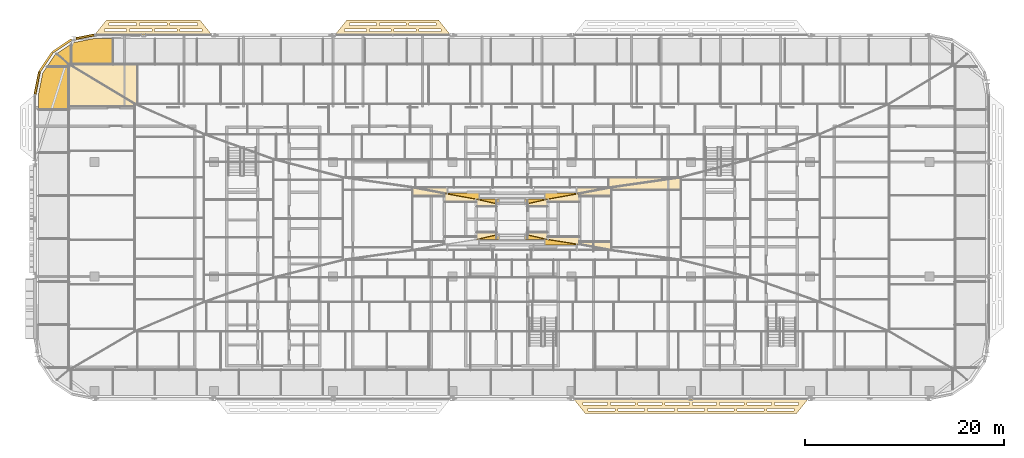
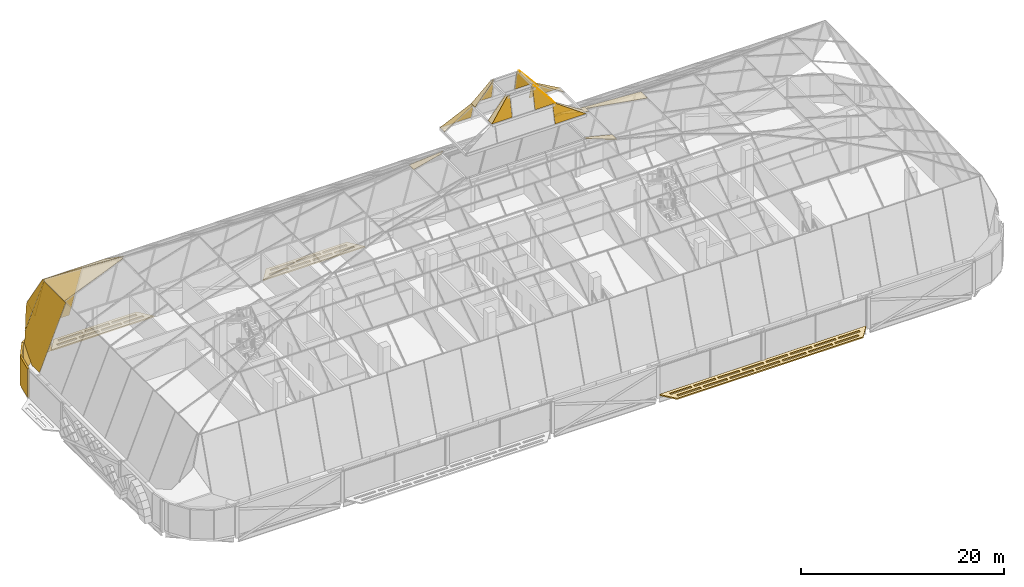
# One storey, part 37 of 39: 34 coverings.
"""IFC4 building model written with IfcOpenShell, lengths in metres."""

from ifc_helpers import new_model, si_unit, direction, frame, origin, origin_2d, place, context, subcontext, project, spatial, polyline, rectangle, outline, extrude, material, layer, layer_set, type_object, element, save


model = new_model("IFC4")

# Units and contexts
model_context = context("Model", 3, precision=1e-05, world=origin(), true_north=direction((0.0, 1.0)))
body_context = subcontext(model_context, "Body", "Model", "MODEL_VIEW")
ifc_project = project(units=[si_unit("LENGTHUNIT", "METRE"), si_unit("AREAUNIT", "SQUARE_METRE"), si_unit("VOLUMEUNIT", "CUBIC_METRE"), si_unit("PLANEANGLEUNIT", "RADIAN"), si_unit("MASSUNIT", "GRAM", prefix="KILO")], contexts=[model_context])

# Site, building, storey
site_placement = place(None, origin())
site = spatial("IfcSite", under=ifc_project, at=site_placement, CompositionType="ELEMENT")
building_placement = place(site_placement, origin())
building = spatial("IfcBuilding", under=site, at=building_placement, Name="Mahtab Terrace Research Tower", CompositionType="ELEMENT")
storey_placement = place(building_placement, frame((0.0, 0.0, 282.300048828125)))
storey = spatial("IfcBuildingStorey", under=building, at=storey_placement, Name="L69", CompositionType="ELEMENT", Elevation=282.300048828125)

# Coverings
ifc_material_1 = material(Name="Black aluminium cladding panel", Category="aluminium")
ifc_layer_1 = layer(ifc_material_1, 0.199951171875)
ifc_layer_set_1 = layer_set([ifc_layer_1], Name="Black metal corner cladding 200")
covering_type_1 = type_object("IfcCoveringType", Name="Black metal corner cladding 200", PredefinedType="CLADDING", material=ifc_layer_set_1)
covering_1_placement = place(storey_placement, frame((-42.933349609375, 24.121337890625, 0.0), z_axis=(0.0, 0.0, 1.0), x_axis=(-0.980760981187, -0.195212442692, 0.0)))
element("IfcCovering", 1, at=covering_1_placement, inside=storey, type_object=covering_type_1, Name="Corner cladding L69 11", PredefinedType="CLADDING", context=body_context, shape_type="SweptSolid", body=[
    extrude(rectangle(XDim=1.86328125, YDim=0.199951171875, at=origin_2d()), origin(), (0.0, 0.0, 1.0), 3.4599609375),
])
for number, where, z_axis, x_axis, name in (
    (2, (-45.26953125, 23.199951171875, 0.0), (0.0, 0.0, 1.0), (-0.831655794326, -0.555291490808, 0.0), "Corner cladding L69 12"),
    (3, (-46.89306640625, 21.576416015625, 0.0), (0.0, 0.0, 1.0), (-0.555291490808, -0.831655794326, 0.0), "Corner cladding L69 13"),
    (4, (-47.771484375, 19.455078125, 0.0), (0.0, 0.0, 1.0), (-0.195212442692, -0.980760981187, 0.0), "Corner cladding L69 14"),
):
    element("IfcCovering", number, at=place(storey_placement, frame(where, z_axis=z_axis, x_axis=x_axis)), inside=storey, type_object=covering_type_1, Name=name, PredefinedType="CLADDING", context=body_context, shape_type="SweptSolid", body=[
        extrude(rectangle(XDim=2.30126953125, YDim=0.199951171875, at=origin_2d()), origin(), (0.0, 0.0, 1.0), 3.4599609375),
    ])
ifc_material_2 = material(Name="Turquoise ceramic tile cladding", Category="ceramic")
ifc_layer_2 = layer(ifc_material_2, 0.0400390625)
ifc_layer_set_2 = layer_set([ifc_layer_2], Name="Crown hip cladding panel")
covering_type_2 = type_object("IfcCoveringType", Name="Crown hip cladding panel", PredefinedType="CLADDING", material=ifc_layer_set_2)
covering_2_placement = place(storey_placement, frame((10.006591796875, 8.99072265625, 20.39990234375), z_axis=(0.168854156391, 0.0, 0.985641047172), x_axis=(0.975997294482, 0.139544820563, -0.167202046092)))
element("IfcCovering", 5, at=covering_2_placement, inside=storey, type_object=covering_type_2, Name="CWC-E6 hip cladding 3", PredefinedType="CLADDING", context=body_context, shape_type="SweptSolid", body=[
    extrude(outline(polyline([(0.0, 0.0), (7.176653635055569, 2.42861286636753e-17), (6.995068211812578, -1.2885375923989406), (-0.04183619132127453, -0.29687132522812365), (0.0, 0.0)])), origin(), (0.0, 0.0, -1.0), 0.0400390625),
])
covering_3_placement = place(storey_placement, frame((6.81396484375, 3.193115234375, 21.199951171875), z_axis=(0.243076639991, 0.0, 0.970007086103), x_axis=(0.0, 1.0, 0.0)))
element("IfcCovering", 6, at=covering_3_placement, inside=storey, type_object=covering_type_2, Name="CWC-E7 hip cladding 1", PredefinedType="CLADDING", context=body_context, shape_type="SweptSolid", body=[
    extrude(outline(polyline([(0.0, 0.0), (0.300048828125, 0.0), (0.300048828125, -3.291343948785117), (-0.594970703125, -3.291343948785117), (0.0, 0.0)])), origin(), (0.0, 0.0, -1.0), 0.0400390625),
])
covering_4_placement = place(storey_placement, frame((6.81396484375, 8.379150390625, 21.199951171875), z_axis=(0.243076639991, 0.0, 0.970007086103), x_axis=(0.953683251915, 0.182685367137, -0.238986007228)))
element("IfcCovering", 7, at=covering_4_placement, inside=storey, type_object=covering_type_2, Name="CWC-E7 hip cladding 3", PredefinedType="CLADDING", context=body_context, shape_type="SweptSolid", body=[
    extrude(outline(polyline([(0.0, 0.0), (3.3476806337053873, -8.326672684688674e-17), (3.1811407995040786, -0.8962798124437183), (-0.05481453032496217, -0.2949994347866443), (0.0, 0.0)])), origin(), (0.0, 0.0, -1.0), 0.0400390625),
])
covering_5_placement = place(storey_placement, frame((-44.34814453125, 21.407958984375, 11.199951171875), z_axis=(0.000111718739, 0.945480033428, 0.325680048373), x_axis=(-0.999999993759, 0.000105627838, 3.6384565e-05)))
element("IfcCovering", 8, at=covering_5_placement, inside=storey, type_object=covering_type_2, Name="CWC-N1 hip cladding 1", PredefinedType="CLADDING", context=body_context, shape_type="SweptSolid", body=[
    extrude(outline(polyline([(0.0, 0.0), (0.2998046856290574, -2.031555584430236e-21), (1.4775390717206391, -3.0700189633869006), (-3.741885309282078e-09, -6.099114115973862), (0.0, 0.0)])), origin(), (0.0, 0.0, -1.0), 0.0400390625),
])
covering_6_placement = place(storey_placement, frame((-40.12451171875, 21.407958984375, 11.199951171875), z_axis=(-1.2193693e-05, 0.945476558074, 0.325690156412), x_axis=(-0.999999999926, -1.1528851e-05, -3.971366e-06)))
element("IfcCovering", 9, at=covering_6_placement, inside=storey, type_object=covering_type_2, Name="CWC-N1 hip cladding 2", PredefinedType="CLADDING", context=body_context, shape_type="SweptSolid", body=[
    extrude(outline(polyline([(0.0, 0.0), (4.223632812186002, -3.577556149291845e-21), (4.223632813389349, -6.09911411526744), (4.034912109362245, -6.485694810644206), (1.8410644528330231, -7.826641943531945), (-1.5510638053209706e-10, -7.826641943531945), (0.0, 0.0)])), origin(), (0.0, 0.0, -1.0), 0.0400390625),
])
covering_7_placement = place(storey_placement, frame((-37.677001953125, 21.407958984375, 11.199951171875), z_axis=(0.0, 0.571197269128, 0.820812816506), x_axis=(0.0, -0.820812816506, 0.571197269128)))
element("IfcCovering", 10, at=covering_7_placement, inside=storey, type_object=covering_type_2, Name="CWC-N2 hip cladding 1", PredefinedType="CLADDING", context=body_context, shape_type="SweptSolid", body=[
    extrude(outline(polyline([(0.0, 0.0), (4.902069704215443, 0.0), (4.902069704215443, -0.30004882812500006), (0.0, -6.970947265625002), (0.0, 0.0)])), origin(), (0.0, 0.0, -1.0), 0.0400390625),
])
covering_8_placement = place(storey_placement, frame((17.010986328125, 9.9921875, 19.199951171875), z_axis=(0.0, 0.767747332932, 0.640752707973), x_axis=(-0.975997294482, -0.139544820563, 0.167202046092)))
element("IfcCovering", 11, at=covering_8_placement, inside=storey, type_object=covering_type_2, Name="CWC-N6 hip cladding 7", PredefinedType="CLADDING", context=body_context, shape_type="SweptSolid", body=[
    extrude(outline(polyline([(0.0, 0.0), (7.176653635055569, -1.1102230246251565e-16), (7.4695004795181195, -0.06534542790059683), (7.12911695644839, -1.590781006800616), (0.0, 0.0)])), origin(), (0.0, 0.0, -1.0), 0.0400390625),
])
covering_9_placement = place(storey_placement, frame((-6.513916015625, 8.99072265625, 20.39990234375), z_axis=(0.0, 0.794467922581, 0.607306117201), x_axis=(0.0, -0.607306117201, 0.794467922581)))
element("IfcCovering", 12, at=covering_9_placement, inside=storey, type_object=covering_type_2, Name="CWC-N7 hip cladding 1", PredefinedType="CLADDING", context=body_context, shape_type="SweptSolid", body=[
    extrude(outline(polyline([(0.0, 0.0), (1.0070247084684076, 0.0), (1.0070247084684076, -0.300048828125), (0.0, -3.49267578125), (0.0, 0.0)])), origin(), (0.0, 0.0, -1.0), 0.0400390625),
])
covering_10_placement = place(storey_placement, frame((10.006591796875, 8.99072265625, 20.39990234375), z_axis=(0.0, 0.794467922581, 0.607306117201), x_axis=(-0.953683251915, -0.182685367137, 0.238986007228)))
element("IfcCovering", 13, at=covering_10_placement, inside=storey, type_object=covering_type_2, Name="CWC-N7 hip cladding 5", PredefinedType="CLADDING", context=body_context, shape_type="SweptSolid", body=[
    extrude(outline(polyline([(0.0, 0.0), (3.3476806337053873, -1.1102230246251565e-16), (3.6338321758449204, -0.09025848542022463), (3.330906396947241, -1.050641084151124), (0.0, 0.0)])), origin(), (0.0, 0.0, -1.0), 0.0400390625),
])
covering_11_placement = place(storey_placement, frame((-44.64794921875, 21.10791015625, 11.199951171875), z_axis=(-0.926649898058, -8.921849e-06, 0.375925479783), x_axis=(8.267431e-06, -0.99999999996, -3.35395e-06)))
element("IfcCovering", 14, at=covering_11_placement, inside=storey, type_object=covering_type_2, Name="CWC-W1 hip cladding 8", PredefinedType="CLADDING", context=body_context, shape_type="SweptSolid", body=[
    extrude(outline(polyline([(0.0, 0.0), (4.32641601545281, 0.0), (4.326416015919259, -7.985629421592305), (2.835449219103599, -7.985629421592305), (0.6413574209972003, -6.824068347720795), (3.4722193856576676e-12, -5.684539532705066), (0.0, 0.0)])), origin(), (0.0, 0.0, -1.0), 0.0400390625),
])
covering_12_placement = place(storey_placement, frame((-44.64794921875, 21.407958984375, 11.199951171875), z_axis=(-0.92666282551, -5.0405544e-05, 0.375893608987), x_axis=(4.6708944e-05, -0.99999999873, -1.8947122e-05)))
element("IfcCovering", 15, at=covering_12_placement, inside=storey, type_object=covering_type_2, Name="CWC-W1 hip cladding 9", PredefinedType="CLADDING", context=body_context, shape_type="SweptSolid", body=[
    extrude(outline(polyline([(0.0, 0.0), (0.3000488277438302, 0.0), (0.30004881790879057, -5.6845395293564245), (-0.8896484376633647, -3.5715039641151822), (-1.000000013771967, -3.132423124643514), (0.0, 0.0)])), origin(), (0.0, 0.0, -1.0), 0.0400390625),
])
covering_13_placement = place(storey_placement, frame((-44.64794921875, 21.407958984375, 11.199951171875), z_axis=(-0.387029381179, 0.0, 0.922067382627), x_axis=(0.805824087168, -0.486048410943, 0.33823731722)))
element("IfcCovering", 16, at=covering_13_placement, inside=storey, type_object=covering_type_2, Name="CWC-W2 hip cladding 7", PredefinedType="CLADDING", context=body_context, shape_type="SweptSolid", body=[
    extrude(outline(polyline([(0.0, 0.0), (8.278355715262956, 3.3306690738754696e-16), (8.42419397137844, -0.26222223840166514), (2.1015423236820516, -3.7786459252184685), (0.0, 0.0)])), origin(), (0.0, 0.0, -1.0), 0.0400390625),
])
covering_14_placement = place(storey_placement, frame((-10.006591796875, 8.99072265625, 20.39990234375), z_axis=(-0.243076639991, 0.0, 0.970007086103), x_axis=(0.953683251915, -0.182685367137, 0.238986007228)))
element("IfcCovering", 17, at=covering_14_placement, inside=storey, type_object=covering_type_2, Name="CWC-W7 hip cladding 3", PredefinedType="CLADDING", context=body_context, shape_type="SweptSolid", body=[
    extrude(outline(polyline([(0.0, 0.0), (3.3476806337053873, 8.326672684688674e-17), (3.40249516403035, -0.29499943478664425), (0.16653983420130897, -0.8962798124437183), (0.0, 0.0)])), origin(), (0.0, 0.0, -1.0), 0.0400390625),
])
covering_15_placement = place(storey_placement, frame((3.60009765625, 3.699951171875, 26.300048828125), z_axis=(0.0, -0.972091096112, 0.234603710245), x_axis=(0.829921097584, -0.130880902354, -0.542310945109)))
element("IfcCovering", 18, at=covering_15_placement, inside=storey, type_object=covering_type_2, Name="CWC-S8 hip cladding 3", PredefinedType="CLADDING", context=body_context, shape_type="SweptSolid", body=[
    extrude(outline(polyline([(0.0, 0.0), (3.872497273364748, 0.0), (0.956224236860993, -1.9603462299877146), (-0.2490168527661443, -0.16739147617973327), (0.0, 0.0)])), origin(), (0.0, 0.0, -1.0), 0.0400390625),
])
covering_16_placement = place(storey_placement, frame((3.60009765625, 3.699951171875, 26.300048828125), z_axis=(0.547016325747, 0.0, 0.83712193817), x_axis=(0.0, 1.0, 0.0)))
element("IfcCovering", 19, at=covering_16_placement, inside=storey, type_object=covering_type_2, Name="CWC-E8 hip cladding 1", PredefinedType="CLADDING", context=body_context, shape_type="SweptSolid", body=[
    extrude(outline(polyline([(0.0, 0.0), (0.300048828125, 0.0), (0.300048828125, -3.839186432654177), (-0.5068359375, -3.839186432654177), (0.0, 0.0)])), origin(), (0.0, 0.0, -1.0), 0.0400390625),
])
covering_17_placement = place(storey_placement, frame((3.60009765625, 7.800048828125, 26.300048828125), z_axis=(0.547016325747, 0.0, 0.83712193817), x_axis=(0.827758076638, 0.149152397279, -0.540897521668)))
element("IfcCovering", 20, at=covering_17_placement, inside=storey, type_object=covering_type_2, Name="CWC-E8 hip cladding 3", PredefinedType="CLADDING", context=body_context, shape_type="SweptSolid", body=[
    extrude(outline(polyline([(0.0, 0.0), (3.882616525536078, 0.0), (3.751489137205311, -0.8693164080849056), (-0.04475300201569362, -0.29669254805230466), (0.0, 0.0)])), origin(), (0.0, 0.0, -1.0), 0.0400390625),
])
covering_18_placement = place(storey_placement, frame((-3.300048828125, 8.379150390625, 24.199951171875), z_axis=(0.0, 0.964020351668, 0.265828443869), x_axis=(0.0, -0.265828443869, 0.964020351668)))
element("IfcCovering", 21, at=covering_18_placement, inside=storey, type_object=covering_type_2, Name="CWC-N8 hip cladding 1", PredefinedType="CLADDING", context=body_context, shape_type="SweptSolid", body=[
    extrude(outline(polyline([(0.0, 0.0), (2.1784785483168485, 0.0), (2.1784785483168485, -0.300048828125), (0.0, -3.513916015625), (0.0, 0.0)])), origin(), (0.0, 0.0, -1.0), 0.0400390625),
])
covering_19_placement = place(storey_placement, frame((6.81396484375, 8.379150390625, 24.199951171875), z_axis=(0.0, 0.964020351668, 0.265828443869), x_axis=(-0.827758076638, -0.149152397279, 0.540897521668)))
element("IfcCovering", 22, at=covering_19_placement, inside=storey, type_object=covering_type_2, Name="CWC-N8 hip cladding 3", PredefinedType="CLADDING", context=body_context, shape_type="SweptSolid", body=[
    extrude(outline(polyline([(0.0, 0.0), (3.882616525536078, 0.0), (4.130984366402263, -0.16835294735363338), (2.908672362560619, -1.9716061605051611), (0.0, 0.0)])), origin(), (0.0, 0.0, -1.0), 0.0400390625),
])
covering_20_placement = place(storey_placement, frame((-6.81396484375, 8.379150390625, 24.199951171875), z_axis=(-0.547016325747, 0.0, 0.83712193817), x_axis=(0.827758076638, -0.149152397279, 0.540897521668)))
element("IfcCovering", 23, at=covering_20_placement, inside=storey, type_object=covering_type_2, Name="CWC-W8 hip cladding 3", PredefinedType="CLADDING", context=body_context, shape_type="SweptSolid", body=[
    extrude(outline(polyline([(0.0, 0.0), (3.882616525536078, 0.0), (3.9273695275517713, -0.2966925480523046), (0.13112738833076706, -0.8693164080849056), (0.0, 0.0)])), origin(), (0.0, 0.0, -1.0), 0.0400390625),
])
covering_21_placement = place(storey_placement, frame((-1.60009765625, 4.14990234375, 28.699951171875), z_axis=(0.0, -0.982874450722, 0.184276461107), x_axis=(1.0, 0.0, 0.0)))
element("IfcCovering", 24, at=covering_21_placement, inside=storey, type_object=covering_type_2, Name="CWC-S9 hip cladding 1", PredefinedType="CLADDING", context=body_context, shape_type="SweptSolid", body=[
    extrude(outline(polyline([(0.0, 0.0), (0.300048828125, 0.0), (0.300048828125, -2.441718107523559), (-2.0, -2.441718107523559), (0.0, 0.0)])), origin(), (0.0, 0.0, -1.0), 0.0400390625),
])
covering_22_placement = place(storey_placement, frame((1.60009765625, 4.14990234375, 28.699951171875), z_axis=(0.0, -0.982874450722, 0.184276461107), x_axis=(0.633661036554, -0.142558262984, -0.760362303384)))
element("IfcCovering", 25, at=covering_22_placement, inside=storey, type_object=covering_type_2, Name="CWC-S9 hip cladding 3", PredefinedType="CLADDING", context=body_context, shape_type="SweptSolid", body=[
    extrude(outline(polyline([(0.0, 0.0), (3.1562616045899032, -2.220446049250313e-16), (1.6988102800354237, -1.7793426449994336), (-0.19012925144649773, -0.2321210180134066), (0.0, 0.0)])), origin(), (0.0, 0.0, -1.0), 0.0400390625),
])
covering_23_placement = place(storey_placement, frame((1.60009765625, 4.14990234375, 28.699951171875), z_axis=(0.768208468069, 0.0, 0.640199773186), x_axis=(0.0, 1.0, 0.0)))
element("IfcCovering", 26, at=covering_23_placement, inside=storey, type_object=covering_type_2, Name="CWC-E9 hip cladding 1", PredefinedType="CLADDING", context=body_context, shape_type="SweptSolid", body=[
    extrude(outline(polyline([(0.0, 0.0), (0.300048828125, 0.0), (0.300048828125, -3.1240248493788814), (-0.449951171875, -3.1240248493788814), (0.0, 0.0)])), origin(), (0.0, 0.0, -1.0), 0.0400390625),
])
covering_24_placement = place(storey_placement, frame((1.60009765625, 7.35009765625, 28.699951171875), z_axis=(0.768208468069, 0.0, 0.640199773186), x_axis=(0.633661036554, 0.142558262984, -0.760362303384)))
element("IfcCovering", 27, at=covering_24_placement, inside=storey, type_object=covering_type_2, Name="CWC-E9 hip cladding 3", PredefinedType="CLADDING", context=body_context, shape_type="SweptSolid", body=[
    extrude(outline(polyline([(0.0, 0.0), (3.1562616045899032, 1.1102230246251565e-16), (3.0493429073515297, -0.7423398091041925), (-0.04277443974803409, -0.29698425305633225), (0.0, 0.0)])), origin(), (0.0, 0.0, -1.0), 0.0400390625),
])
covering_25_placement = place(storey_placement, frame((-1.300048828125, 7.800048828125, 26.300048828125), z_axis=(0.0, 0.982874450722, 0.184276461107), x_axis=(0.0, -0.184276461107, 0.982874450722)))
element("IfcCovering", 28, at=covering_25_placement, inside=storey, type_object=covering_type_2, Name="CWC-N9 hip cladding 1", PredefinedType="CLADDING", context=body_context, shape_type="SweptSolid", body=[
    extrude(outline(polyline([(0.0, 0.0), (2.441718107523559, 0.0), (2.441718107523559, -0.300048828125), (0.0, -2.300048828125), (0.0, 0.0)])), origin(), (0.0, 0.0, -1.0), 0.0400390625),
])
covering_26_placement = place(storey_placement, frame((3.60009765625, 7.800048828125, 26.300048828125), z_axis=(0.0, 0.982874450722, 0.184276461107), x_axis=(-0.633661036554, -0.142558262984, 0.760362303384)))
element("IfcCovering", 29, at=covering_26_placement, inside=storey, type_object=covering_type_2, Name="CWC-N9 hip cladding 3", PredefinedType="CLADDING", context=body_context, shape_type="SweptSolid", body=[
    extrude(outline(polyline([(0.0, 0.0), (3.1562616045899032, 2.220446049250313e-16), (3.3463908560364004, -0.23212101801340634), (1.4574513245544791, -1.7793426449994332), (0.0, 0.0)])), origin(), (0.0, 0.0, -1.0), 0.0400390625),
])
covering_27_placement = place(storey_placement, frame((-3.60009765625, 4.449951171875, 26.300048828125), z_axis=(-0.768208468069, 0.0, 0.640199773186), x_axis=(0.640199773186, 0.0, 0.768208468069)))
element("IfcCovering", 30, at=covering_27_placement, inside=storey, type_object=covering_type_2, Name="CWC-W9 hip cladding 1", PredefinedType="CLADDING", context=body_context, shape_type="SweptSolid", body=[
    extrude(outline(polyline([(0.0, 0.0), (3.1240248493788814, 0.0), (3.1240248493788814, -0.300048828125), (0.0, -0.75), (0.0, 0.0)])), origin(), (0.0, 0.0, -1.0), 0.0400390625),
])
covering_28_placement = place(storey_placement, frame((-3.60009765625, 7.800048828125, 26.300048828125), z_axis=(-0.768208468069, 0.0, 0.640199773186), x_axis=(0.633661036554, -0.142558262984, 0.760362303384)))
element("IfcCovering", 31, at=covering_28_placement, inside=storey, type_object=covering_type_2, Name="CWC-W9 hip cladding 3", PredefinedType="CLADDING", context=body_context, shape_type="SweptSolid", body=[
    extrude(outline(polyline([(0.0, 0.0), (3.1562616045899032, -1.1102230246251565e-16), (3.1990360443379373, -0.29698425305633236), (0.10691869723837324, -0.7423398091041926), (0.0, 0.0)])), origin(), (0.0, 0.0, -1.0), 0.0400390625),
])
ifc_material_3 = material(Name="Black anodised aluminium", Category="aluminium")
ifc_layer_3 = layer(ifc_material_3, 0.14990234375)
ifc_layer_set_3 = layer_set([ifc_layer_3], Name="Horizontal sunshade band")
covering_type_3 = type_object("IfcCoveringType", Name="Horizontal sunshade band", PredefinedType="CLADDING", material=ifc_layer_set_3)
covering_29_placement = place(storey_placement, frame((0.0, 0.0, -0.150146484375)))
element("IfcCovering", 32, at=covering_29_placement, inside=storey, type_object=covering_type_3, Name="Sunshade band L69 7", PredefinedType="CLADDING", context=body_context, shape_type="SweptSolid", body=[
    extrude(outline(polyline([(-6.18798828125, 24.306884765625), (-17.81201171875, 24.306884765625), (-16.612060546875, 25.806884765625), (-7.387939453125, 25.806884765625), (-6.18798828125, 24.306884765625)]), holes=[polyline([(-7.16796875, 24.656982421875), (-9.35888671875, 24.656982421875), (-9.35888671875, 24.906982421875), (-7.16796875, 24.906982421875), (-7.16796875, 24.656982421875)]), polyline([(-9.658935546875, 24.656982421875), (-11.85009765625, 24.656982421875), (-11.85009765625, 24.906982421875), (-9.658935546875, 24.906982421875), (-9.658935546875, 24.656982421875)]), polyline([(-12.14990234375, 24.656982421875), (-14.341064453125, 24.656982421875), (-14.341064453125, 24.906982421875), (-12.14990234375, 24.906982421875), (-12.14990234375, 24.656982421875)]), polyline([(-14.64111328125, 24.656982421875), (-16.83203125, 24.656982421875), (-16.83203125, 24.906982421875), (-14.64111328125, 24.906982421875), (-14.64111328125, 24.656982421875)]), polyline([(-7.64794921875, 25.257080078125), (-10.34912109375, 25.257080078125), (-10.34912109375, 25.507080078125), (-7.64794921875, 25.507080078125), (-7.64794921875, 25.257080078125)]), polyline([(-10.64892578125, 25.257080078125), (-13.35107421875, 25.257080078125), (-13.35107421875, 25.507080078125), (-10.64892578125, 25.507080078125), (-10.64892578125, 25.257080078125)]), polyline([(-13.65087890625, 25.257080078125), (-16.35205078125, 25.257080078125), (-16.35205078125, 25.507080078125), (-13.65087890625, 25.507080078125), (-13.65087890625, 25.257080078125)])]), origin(), (0.0, 0.0, 1.0), 0.150146484375),
])
covering_30_placement = place(storey_placement, frame((0.0, 0.0, -0.150146484375)))
element("IfcCovering", 33, at=covering_30_placement, inside=storey, type_object=covering_type_3, Name="Sunshade band L69 9", PredefinedType="CLADDING", context=body_context, shape_type="SweptSolid", body=[
    extrude(outline(polyline([(-30.18798828125, 24.306884765625), (-42.0, 24.306884765625), (-40.800048828125, 25.806884765625), (-31.387939453125, 25.806884765625), (-30.18798828125, 24.306884765625)]), holes=[polyline([(-31.16796875, 24.656982421875), (-33.406005859375, 24.656982421875), (-33.406005859375, 24.906982421875), (-31.16796875, 24.906982421875), (-31.16796875, 24.656982421875)]), polyline([(-33.7060546875, 24.656982421875), (-35.944091796875, 24.656982421875), (-35.944091796875, 24.906982421875), (-33.7060546875, 24.906982421875), (-33.7060546875, 24.656982421875)]), polyline([(-36.243896484375, 24.656982421875), (-38.48193359375, 24.656982421875), (-38.48193359375, 24.906982421875), (-36.243896484375, 24.906982421875), (-36.243896484375, 24.656982421875)]), polyline([(-38.781982421875, 24.656982421875), (-41.02001953125, 24.656982421875), (-41.02001953125, 24.906982421875), (-38.781982421875, 24.906982421875), (-38.781982421875, 24.656982421875)]), polyline([(-31.64794921875, 25.257080078125), (-34.412109375, 25.257080078125), (-34.412109375, 25.507080078125), (-31.64794921875, 25.507080078125), (-31.64794921875, 25.257080078125)]), polyline([(-34.7119140625, 25.257080078125), (-37.47607421875, 25.257080078125), (-37.47607421875, 25.507080078125), (-34.7119140625, 25.507080078125), (-34.7119140625, 25.257080078125)]), polyline([(-37.77587890625, 25.257080078125), (-40.5400390625, 25.257080078125), (-40.5400390625, 25.507080078125), (-37.77587890625, 25.507080078125), (-37.77587890625, 25.257080078125)])]), origin(), (0.0, 0.0, 1.0), 0.150146484375),
])
covering_31_placement = place(storey_placement, frame((0.0, 0.0, -0.150146484375)))
element("IfcCovering", 34, at=covering_31_placement, inside=storey, type_object=covering_type_3, Name="Sunshade band L69 27", PredefinedType="CLADDING", context=body_context, shape_type="SweptSolid", body=[
    extrude(outline(polyline([(6.18798828125, -12.306884765625), (29.81201171875, -12.306884765625), (28.612060546875, -13.806884765625), (7.387939453125, -13.806884765625), (6.18798828125, -12.306884765625)]), holes=[polyline([(7.16796875, -12.656982421875), (9.614013671875, -12.656982421875), (9.614013671875, -12.906982421875), (7.16796875, -12.906982421875), (7.16796875, -12.656982421875)]), polyline([(9.9130859375, -12.656982421875), (12.35888671875, -12.656982421875), (12.35888671875, -12.906982421875), (9.9130859375, -12.906982421875), (9.9130859375, -12.656982421875)]), polyline([(12.658935546875, -12.656982421875), (15.10498046875, -12.656982421875), (15.10498046875, -12.906982421875), (12.658935546875, -12.906982421875), (12.658935546875, -12.656982421875)]), polyline([(15.404052734375, -12.656982421875), (17.85009765625, -12.656982421875), (17.85009765625, -12.906982421875), (15.404052734375, -12.906982421875), (15.404052734375, -12.656982421875)]), polyline([(18.14990234375, -12.656982421875), (20.594970703125, -12.656982421875), (20.594970703125, -12.906982421875), (18.14990234375, -12.906982421875), (18.14990234375, -12.656982421875)]), polyline([(20.89501953125, -12.656982421875), (23.341064453125, -12.656982421875), (23.341064453125, -12.906982421875), (20.89501953125, -12.906982421875), (20.89501953125, -12.656982421875)]), polyline([(23.64111328125, -12.656982421875), (26.0859375, -12.656982421875), (26.0859375, -12.906982421875), (23.64111328125, -12.906982421875), (23.64111328125, -12.656982421875)]), polyline([(26.385986328125, -12.656982421875), (28.83203125, -12.656982421875), (28.83203125, -12.906982421875), (26.385986328125, -12.906982421875), (26.385986328125, -12.656982421875)]), polyline([(7.64794921875, -13.257080078125), (10.34912109375, -13.257080078125), (10.34912109375, -13.507080078125), (7.64794921875, -13.507080078125), (7.64794921875, -13.257080078125)]), polyline([(10.64892578125, -13.257080078125), (13.34912109375, -13.257080078125), (13.34912109375, -13.507080078125), (10.64892578125, -13.507080078125), (10.64892578125, -13.257080078125)]), polyline([(13.64892578125, -13.257080078125), (16.35009765625, -13.257080078125), (16.35009765625, -13.507080078125), (13.64892578125, -13.507080078125), (13.64892578125, -13.257080078125)]), polyline([(16.64990234375, -13.257080078125), (19.35009765625, -13.257080078125), (19.35009765625, -13.507080078125), (16.64990234375, -13.507080078125), (16.64990234375, -13.257080078125)]), polyline([(19.64990234375, -13.257080078125), (22.35107421875, -13.257080078125), (22.35107421875, -13.507080078125), (19.64990234375, -13.507080078125), (19.64990234375, -13.257080078125)]), polyline([(22.65087890625, -13.257080078125), (25.35107421875, -13.257080078125), (25.35107421875, -13.507080078125), (22.65087890625, -13.507080078125), (22.65087890625, -13.257080078125)]), polyline([(25.65087890625, -13.257080078125), (28.35205078125, -13.257080078125), (28.35205078125, -13.507080078125), (25.65087890625, -13.507080078125), (25.65087890625, -13.257080078125)])]), origin(), (0.0, 0.0, 1.0), 0.150146484375),
])

save(model, "model.ifc")
